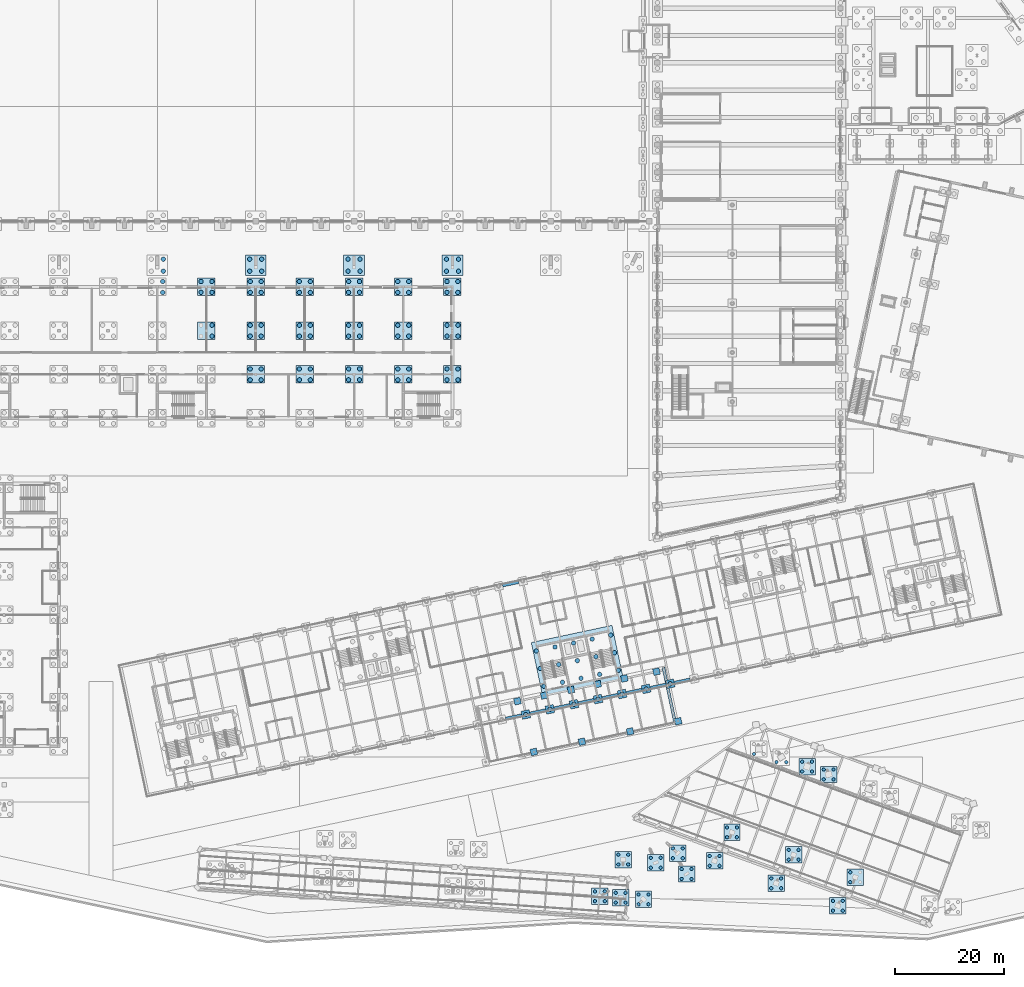
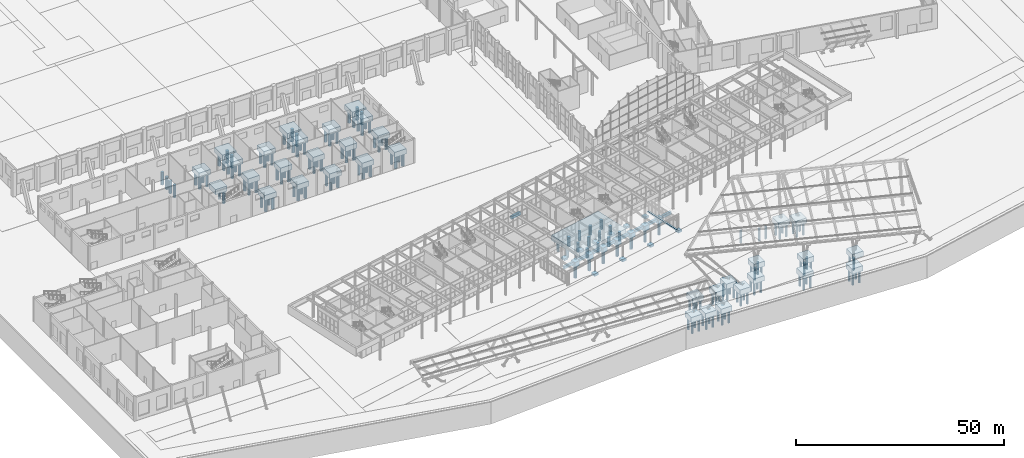
# One storey, part 3 of 239: 165 piles, 63 footings.
"""IFC4 building model written with IfcOpenShell, lengths in metres."""

import ifcopenshell
import ifcopenshell.guid

model = None  # the IFC model being written
_history = None  # IfcOwnerHistory: only IFC2X3 demands one
_inside = {}  # id of a spatial element -> (the spatial element, [elements in it])
_under = {}  # id of a project, library or spatial element -> (it, [spatial elements below it])
_declared = {}  # id of a project -> (the project, [libraries it declares])
_typed = {}  # id of a type object -> (the type object, [elements of that type])
_made_of = {}  # id of a material, layer set ... -> (it, [elements and type objects made of it])


def new_model(schema):
    """Start an empty IFC model of exactly this schema.

    Asked for "IFC4X3", IfcOpenShell would pick the latest addendum, in which some entities
    have other attributes; the version numbers below select the first issue.
    IFC2X3 requires an IfcOwnerHistory on every rooted entity: one is made here for all.
    """
    global model, _history
    if schema == "IFC4X3":
        model = ifcopenshell.file(schema_version=(4, 3, 0, 0))
    else:
        model = ifcopenshell.file(schema=schema)
    _inside.clear()
    _under.clear()
    _declared.clear()
    _typed.clear()
    _made_of.clear()
    _history = None
    if model.schema == "IFC2X3":
        org = make("IfcOrganization", Name="unknown")
        user = make(
            "IfcPersonAndOrganization",
            ThePerson=make("IfcPerson", FamilyName="unknown"),
            TheOrganization=org,
        )
        app = make(
            "IfcApplication",
            ApplicationDeveloper=org,
            Version="unknown",
            ApplicationFullName="unknown",
            ApplicationIdentifier="unknown",
        )
        _history = make(
            "IfcOwnerHistory",
            OwningUser=user,
            OwningApplication=app,
            ChangeAction="ADDED",
            CreationDate=0,
        )
    return model


def make(cls, **values):
    """One entity of the class cls with the attributes given. An attribute that is None is left unset."""
    return model.create_entity(
        cls, **{name: value for name, value in values.items() if value is not None}
    )


def rooted(cls, **values):
    """An entity with a GlobalId (a new one), such as an element, a storey or a relation."""
    return make(cls, GlobalId=ifcopenshell.guid.new(), OwnerHistory=_history, **values)


def si_unit(unit_type, name, prefix=None):
    """IfcSIUnit, for example si_unit("LENGTHUNIT", "METRE", prefix="MILLI")."""
    return make("IfcSIUnit", UnitType=unit_type, Prefix=prefix, Name=name)


def assignment(units):
    """IfcUnitAssignment: the units of a project."""
    return None if units is None else make("IfcUnitAssignment", Units=units)


def point(xyz):
    """IfcCartesianPoint."""
    return None if xyz is None else make("IfcCartesianPoint", Coordinates=xyz)


def direction(xyz):
    """IfcDirection."""
    return None if xyz is None else make("IfcDirection", DirectionRatios=xyz)


def frame(location, z_axis=None, x_axis=None):
    """IfcAxis2Placement3D, a coordinate frame: its origin and axes. An axis left out is left unset."""
    return make(
        "IfcAxis2Placement3D",
        Location=point(location),
        Axis=direction(z_axis),
        RefDirection=direction(x_axis),
    )


def frame_2d(location, x_axis=None):
    """IfcAxis2Placement2D, a coordinate frame in the plane: its origin and x axis."""
    return make(
        "IfcAxis2Placement2D", Location=point(location), RefDirection=direction(x_axis)
    )


def origin():
    """The frame at (0, 0, 0) with its axes left unset."""
    return frame((0.0, 0.0, 0.0))


def origin_2d():
    """The frame at (0, 0) in the plane with its x axis left unset."""
    return frame_2d((0.0, 0.0))


def place(relative_to, where):
    """IfcLocalPlacement: puts the frame where relative to a parent placement (None: the world)."""
    return make(
        "IfcLocalPlacement", PlacementRelTo=relative_to, RelativePlacement=where
    )


def context(
    kind, dimensions, precision=None, world=None, true_north=None, identifier=None
):
    """IfcGeometricRepresentationContext, for example the 3D "Model" context."""
    return make(
        "IfcGeometricRepresentationContext",
        ContextIdentifier=identifier,
        ContextType=kind,
        CoordinateSpaceDimension=dimensions,
        Precision=precision,
        WorldCoordinateSystem=world,
        TrueNorth=true_north,
    )


def subcontext(parent, identifier, kind, view, scale=None):
    """IfcGeometricRepresentationSubContext, for example "Body" below "Model"."""
    return make(
        "IfcGeometricRepresentationSubContext",
        ContextIdentifier=identifier,
        ContextType=kind,
        ParentContext=parent,
        TargetScale=scale,
        TargetView=view,
    )


def project(units=None, contexts=None):
    """IfcProject with its units and contexts."""
    return rooted(
        "IfcProject",
        Name="project",
        RepresentationContexts=contexts,
        UnitsInContext=assignment(units),
    )


def spatial(cls, under=None, at=None, **own):
    """A site, building, storey or space (cls), placed at a placement, below another one or the project."""
    s = rooted(cls, ObjectPlacement=at, **own)
    if under is not None:
        _under.setdefault(under.id(), (under, []))[1].append(s)
    return s


def profile(cls, at=None, kind="AREA", **sizes):
    """A parametric profile (cls). Its sizes go by their IFC names, for example OverallWidth=200.0."""
    return make(cls, ProfileType=kind, Position=at, **sizes)


def rectangle(**sizes):
    """IfcRectangleProfileDef."""
    return profile("IfcRectangleProfileDef", **sizes)


def circle(**sizes):
    """IfcCircleProfileDef."""
    return profile("IfcCircleProfileDef", **sizes)


def extrude(swept, where, along, depth):
    """IfcExtrudedAreaSolid: the profile swept, set in the frame where, extruded along a direction by depth."""
    return make(
        "IfcExtrudedAreaSolid",
        SweptArea=swept,
        Position=where,
        ExtrudedDirection=direction(along),
        Depth=depth,
    )


def shape(context_of_items, identifier, shape_type, items):
    """IfcShapeRepresentation: the items that make up one representation, for example the "Body"."""
    return make(
        "IfcShapeRepresentation",
        ContextOfItems=context_of_items,
        RepresentationIdentifier=identifier,
        RepresentationType=shape_type,
        Items=items,
    )


def material(Name=None, Category=None):
    """IfcMaterial."""
    return make("IfcMaterial", Name=Name, Category=Category)


def material_profile(
    of_material, cross_section, Name=None, Category=None, Priority=None
):
    """IfcMaterialProfile: a cross section and its material."""
    return make(
        "IfcMaterialProfile",
        Name=Name,
        Material=of_material,
        Profile=cross_section,
        Priority=Priority,
        Category=Category,
    )


def profile_set(profiles, Name=None, composite=None):
    """IfcMaterialProfileSet."""
    return make(
        "IfcMaterialProfileSet",
        Name=Name,
        MaterialProfiles=profiles,
        CompositeProfile=composite,
    )


def made_of(thing, what):
    """Note that an element or type object is made of a material, layer set ...; save() writes the relation."""
    if what is not None:
        _made_of.setdefault(what.id(), (what, []))[1].append(thing)
    return thing


def type_object(cls, material=None, **own):
    """A type object (cls), such as IfcWallType, which elements share."""
    return made_of(rooted(cls, **own), material)


def element(
    cls,
    number,
    at=None,
    inside=None,
    cuts=None,
    type_object=None,
    material=None,
    context=None,
    identifier="Body",
    shape_type=None,
    held_by="IfcProductDefinitionShape",
    body=None,
    shapes=None,
    **own,
):
    """One element of the class cls, such as IfcWall. Its Tag is "e" and its number.

    at: its placement. inside: the storey or other place that contains it. cuts: it is an
    opening in that element (IfcRelVoidsElement). A single representation is given by context,
    identifier, shape_type and body (its items); several are given by shapes. held_by: the class
    of the entity that holds the representations. save() writes the other relations.
    """
    e = rooted(cls, Tag="e%d" % number, ObjectPlacement=at, **own)
    if body is not None:
        shapes = [shape(context, identifier, shape_type, body)]
    if shapes is not None:
        e.Representation = make(held_by, Representations=shapes)
    if inside is not None:
        _inside.setdefault(inside.id(), (inside, []))[1].append(e)
    if cuts is not None:
        rooted(
            "IfcRelVoidsElement", RelatingBuildingElement=cuts, RelatedOpeningElement=e
        )
    if type_object is not None:
        _typed.setdefault(type_object.id(), (type_object, []))[1].append(e)
    return made_of(e, material)


def aggregate(whole, parts):
    """IfcRelAggregates: a whole, such as a stair, and the parts it consists of."""
    return rooted("IfcRelAggregates", RelatingObject=whole, RelatedObjects=parts)


def save(model, path):
    """Write the relations noted so far, then the file.

    IfcRelAggregates (storeys below a building ...), IfcRelContainedInSpatialStructure (elements
    in a storey), IfcRelDefinesByType, IfcRelAssociatesMaterial and IfcRelDeclares: one each for
    every whole, place, type object, material and project.
    """
    for whole, parts in _under.values():
        aggregate(whole, parts)
    for where, things in _inside.values():
        rooted(
            "IfcRelContainedInSpatialStructure",
            RelatedElements=things,
            RelatingStructure=where,
        )
    for kind, things in _typed.values():
        rooted("IfcRelDefinesByType", RelatedObjects=things, RelatingType=kind)
    for what, things in _made_of.values():
        rooted("IfcRelAssociatesMaterial", RelatedObjects=things, RelatingMaterial=what)
    for by, libraries in _declared.values():
        rooted("IfcRelDeclares", RelatingContext=by, RelatedDefinitions=libraries)
    model.write(path)


model = new_model("IFC4")

# Units and contexts
model_context = context("Model", 3, precision=1e-05, world=origin(), true_north=direction((0.0, 1.0)))
body_context = subcontext(model_context, "Body", "Model", "MODEL_VIEW")
ifc_project = project(units=[si_unit("LENGTHUNIT", "METRE"), si_unit("AREAUNIT", "SQUARE_METRE"), si_unit("VOLUMEUNIT", "CUBIC_METRE"), si_unit("PLANEANGLEUNIT", "RADIAN"), si_unit("MASSUNIT", "GRAM", prefix="KILO")], contexts=[model_context])

# Site, building, storey
site_placement = place(None, origin())
site = spatial("IfcSite", under=ifc_project, at=site_placement, CompositionType="ELEMENT")
building_placement = place(site_placement, origin())
building = spatial("IfcBuilding", under=site, at=building_placement, Name="Okhra Congress Centre", CompositionType="ELEMENT")
storey_placement = place(building_placement, origin())
storey = spatial("IfcBuildingStorey", under=building, at=storey_placement, Name="L00", CompositionType="ELEMENT", Elevation=0.0)

# Piles
ifc_material_1 = material(Name="Concrete C30/37", Category="concrete")
ifc_material_profile_1 = material_profile(ifc_material_1, circle(Radius=0.300048828125, at=origin_2d()), Name="D600")
ifc_profile_set_1 = profile_set([ifc_material_profile_1], Name="Concrete C30/37")
pile_type_1 = type_object("IfcPileType", Name="Bored pile D600 C30/37", PredefinedType="BORED", material=ifc_profile_set_1)
for number, where, z_axis, x_axis, name in (
    (1, (154.296630859375, 13.75244140625, -1.800048828125), (0.0, 0.0, -1.0), (1.0, 0.0, 0.0), "ST.PILE.L00.shard-1-1"),
    (2, (156.0966796875, 13.75244140625, -1.800048828125), (0.0, 0.0, -1.0), (1.0, 0.0, 0.0), "ST.PILE.L00.shard-1-2"),
    (3, (154.296630859375, 15.552490234375, -1.800048828125), (0.0, 0.0, -1.0), (1.0, 0.0, 0.0), "ST.PILE.L00.shard-1-3"),
    (4, (156.0966796875, 15.552490234375, -1.800048828125), (0.0, 0.0, -1.0), (1.0, 0.0, 0.0), "ST.PILE.L00.shard-1-4"),
    (5, (158.329833984375, 15.47705078125, -1.800048828125), (0.0, 0.0, -1.0), (1.0, 0.0, 0.0), "ST.PILE.L00.shard-2-1"),
    (6, (160.129638671875, 15.47705078125, -1.800048828125), (0.0, 0.0, -1.0), (1.0, 0.0, 0.0), "ST.PILE.L00.shard-2-2"),
    (7, (158.329833984375, 17.277099609375, -1.800048828125), (0.0, 0.0, -1.0), (1.0, 0.0, 0.0), "ST.PILE.L00.shard-2-3"),
    (8, (160.129638671875, 17.277099609375, -1.800048828125), (0.0, 0.0, -1.0), (1.0, 0.0, 0.0), "ST.PILE.L00.shard-2-4"),
    (9, (159.934814453125, 11.700439453125, -1.800048828125), (0.0, 0.0, -1.0), (1.0, 0.0, 0.0), "ST.PILE.L00.shard-3-1"),
    (10, (161.73486328125, 11.700439453125, -1.800048828125), (0.0, 0.0, -1.0), (1.0, 0.0, 0.0), "ST.PILE.L00.shard-3-2"),
    (11, (159.934814453125, 13.50048828125, -1.800048828125), (0.0, 0.0, -1.0), (1.0, 0.0, 0.0), "ST.PILE.L00.shard-3-3"),
    (12, (161.73486328125, 13.50048828125, -1.800048828125), (0.0, 0.0, -1.0), (1.0, 0.0, 0.0), "ST.PILE.L00.shard-3-4"),
    (13, (165.061767578125, 14.091064453125, -1.800048828125), (0.0, 0.0, -1.0), (1.0, 0.0, 0.0), "ST.PILE.L00.shard-4-1"),
    (14, (166.861572265625, 14.091064453125, -1.800048828125), (0.0, 0.0, -1.0), (1.0, 0.0, 0.0), "ST.PILE.L00.shard-4-2"),
    (15, (165.061767578125, 15.89111328125, -1.800048828125), (0.0, 0.0, -1.0), (1.0, 0.0, 0.0), "ST.PILE.L00.shard-4-3"),
    (16, (166.861572265625, 15.89111328125, -1.800048828125), (0.0, 0.0, -1.0), (1.0, 0.0, 0.0), "ST.PILE.L00.shard-4-4"),
    (17, (168.241455078125, 19.31884765625, -1.800048828125), (0.0, 0.0, -1.0), (1.0, 0.0, 0.0), "ST.PILE.L00.shard-5-1"),
    (18, (170.04150390625, 19.31884765625, -1.800048828125), (0.0, 0.0, -1.0), (1.0, 0.0, 0.0), "ST.PILE.L00.shard-5-2"),
    (19, (168.241455078125, 21.118896484375, -1.800048828125), (0.0, 0.0, -1.0), (1.0, 0.0, 0.0), "ST.PILE.L00.shard-5-3"),
    (20, (170.04150390625, 21.118896484375, -1.800048828125), (0.0, 0.0, -1.0), (1.0, 0.0, 0.0), "ST.PILE.L00.shard-5-4"),
    (21, (176.337890625, 9.98681640625, -1.800048828125), (0.0, 0.0, -1.0), (1.0, 0.0, 0.0), "ST.PILE.L00.shard-6-1"),
    (22, (178.137939453125, 9.98681640625, -1.800048828125), (0.0, 0.0, -1.0), (1.0, 0.0, 0.0), "ST.PILE.L00.shard-6-2"),
    (23, (176.337890625, 11.786865234375, -1.800048828125), (0.0, 0.0, -1.0), (1.0, 0.0, 0.0), "ST.PILE.L00.shard-6-3"),
    (24, (178.137939453125, 11.786865234375, -1.800048828125), (0.0, 0.0, -1.0), (1.0, 0.0, 0.0), "ST.PILE.L00.shard-6-4"),
    (25, (179.517822265625, 15.214599609375, -1.800048828125), (0.0, 0.0, -1.0), (1.0, 0.0, 0.0), "ST.PILE.L00.shard-7-1"),
    (26, (181.317626953125, 15.214599609375, -1.800048828125), (0.0, 0.0, -1.0), (1.0, 0.0, 0.0), "ST.PILE.L00.shard-7-2"),
    (27, (179.517822265625, 17.0146484375, -1.800048828125), (0.0, 0.0, -1.0), (1.0, 0.0, 0.0), "ST.PILE.L00.shard-7-3"),
    (28, (181.317626953125, 17.0146484375, -1.800048828125), (0.0, 0.0, -1.0), (1.0, 0.0, 0.0), "ST.PILE.L00.shard-7-4"),
    (29, (187.6142578125, 5.882568359375, -1.800048828125), (0.0, 0.0, -1.0), (1.0, 0.0, 0.0), "ST.PILE.L00.shard-8-1"),
    (30, (189.414306640625, 5.882568359375, -1.800048828125), (0.0, 0.0, -1.0), (1.0, 0.0, 0.0), "ST.PILE.L00.shard-8-2"),
    (31, (187.6142578125, 7.6826171875, -1.800048828125), (0.0, 0.0, -1.0), (1.0, 0.0, 0.0), "ST.PILE.L00.shard-8-3"),
    (32, (189.414306640625, 7.6826171875, -1.800048828125), (0.0, 0.0, -1.0), (1.0, 0.0, 0.0), "ST.PILE.L00.shard-8-4"),
    (33, (190.7939453125, 11.1103515625, -1.800048828125), (0.0, 0.0, -1.0), (1.0, 0.0, 0.0), "ST.PILE.L00.shard-9-1"),
    (34, (190.7939453125, 12.910400390625, -1.800048828125), (0.0, 0.0, -1.0), (1.0, 0.0, 0.0), "ST.PILE.L00.shard-9-3"),
    (35, (173.14990234375, 34.55908203125, -1.800048828125), (0.0, 0.0, -1.0), (1.0, 0.0, 0.0), "ST.PILE.L00.shard-12-1"),
    (36, (177.28466796875, 33.05419921875, -1.800048828125), (0.0, 0.0, -1.0), (1.0, 0.0, 0.0), "ST.PILE.L00.shard-13-1"),
    (37, (179.08447265625, 33.05419921875, -1.800048828125), (0.0, 0.0, -1.0), (1.0, 0.0, 0.0), "ST.PILE.L00.shard-13-2"),
    (38, (181.983154296875, 31.34423828125, -1.800048828125), (0.0, 0.0, -1.0), (1.0, 0.0, 0.0), "ST.PILE.L00.shard-14-1"),
    (39, (183.782958984375, 31.34423828125, -1.800048828125), (0.0, 0.0, -1.0), (1.0, 0.0, 0.0), "ST.PILE.L00.shard-14-2"),
    (40, (181.983154296875, 33.14404296875, -1.800048828125), (0.0, 0.0, -1.0), (1.0, 0.0, 0.0), "ST.PILE.L00.shard-14-3"),
    (41, (183.782958984375, 33.14404296875, -1.800048828125), (0.0, 0.0, -1.0), (1.0, 0.0, 0.0), "ST.PILE.L00.shard-14-4"),
    (42, (185.9296875, 29.90771484375, -1.800048828125), (0.0, 0.0, -1.0), (1.0, 0.0, 0.0), "ST.PILE.L00.shard-15-1"),
    (43, (187.729736328125, 29.90771484375, -1.800048828125), (0.0, 0.0, -1.0), (1.0, 0.0, 0.0), "ST.PILE.L00.shard-15-2"),
    (44, (185.9296875, 31.70751953125, -1.800048828125), (0.0, 0.0, -1.0), (1.0, 0.0, 0.0), "ST.PILE.L00.shard-15-3"),
    (45, (187.729736328125, 31.70751953125, -1.800048828125), (0.0, 0.0, -1.0), (1.0, 0.0, 0.0), "ST.PILE.L00.shard-15-4"),
    (46, (147.869873046875, 7.35107421875, -1.800048828125), (0.0, 0.0, -1.0), (1.0, 0.0, 0.0), "ST.PILE.L00.arcade-11-1"),
    (47, (149.669921875, 7.35107421875, -1.800048828125), (0.0, 0.0, -1.0), (1.0, 0.0, 0.0), "ST.PILE.L00.arcade-11-2"),
    (48, (147.869873046875, 9.151123046875, -1.800048828125), (0.0, 0.0, -1.0), (1.0, 0.0, 0.0), "ST.PILE.L00.arcade-11-3"),
    (49, (149.669921875, 9.151123046875, -1.800048828125), (0.0, 0.0, -1.0), (1.0, 0.0, 0.0), "ST.PILE.L00.arcade-11-4"),
    (50, (152.0595703125, 7.05810546875, -1.800048828125), (0.0, 0.0, -1.0), (1.0, 0.0, 0.0), "ST.PILE.L00.arcade-12-1"),
    (51, (153.859619140625, 7.05810546875, -1.800048828125), (0.0, 0.0, -1.0), (1.0, 0.0, 0.0), "ST.PILE.L00.arcade-12-2"),
    (52, (152.0595703125, 8.858154296875, -1.800048828125), (0.0, 0.0, -1.0), (1.0, 0.0, 0.0), "ST.PILE.L00.arcade-12-3"),
    (53, (153.859619140625, 8.858154296875, -1.800048828125), (0.0, 0.0, -1.0), (1.0, 0.0, 0.0), "ST.PILE.L00.arcade-12-4"),
    (54, (148.358154296875, 14.333984375, -1.800048828125), (0.0, 0.0, -1.0), (1.0, 0.0, 0.0), "ST.PILE.L00.arcade-13-1"),
    (55, (150.158203125, 14.333984375, -1.800048828125), (0.0, 0.0, -1.0), (1.0, 0.0, 0.0), "ST.PILE.L00.arcade-13-2"),
    (56, (148.358154296875, 16.134033203125, -1.800048828125), (0.0, 0.0, -1.0), (1.0, 0.0, 0.0), "ST.PILE.L00.arcade-13-3"),
    (57, (150.158203125, 16.134033203125, -1.800048828125), (0.0, 0.0, -1.0), (1.0, 0.0, 0.0), "ST.PILE.L00.arcade-13-4"),
    (58, (144.0791015625, 7.6162109375, -1.800048828125), (0.0, 0.0, -1.0), (1.0, 0.0, 0.0), "ST.PILE.L00.arcade-14-1"),
    (59, (145.879150390625, 7.6162109375, -1.800048828125), (0.0, 0.0, -1.0), (1.0, 0.0, 0.0), "ST.PILE.L00.arcade-14-2"),
    (60, (144.0791015625, 9.416015625, -1.800048828125), (0.0, 0.0, -1.0), (1.0, 0.0, 0.0), "ST.PILE.L00.arcade-14-3"),
    (61, (145.879150390625, 9.416015625, -1.800048828125), (0.0, 0.0, -1.0), (1.0, 0.0, 0.0), "ST.PILE.L00.arcade-14-4"),
):
    element("IfcPile", number, at=place(storey_placement, frame(where, z_axis=z_axis, x_axis=x_axis)), inside=storey, type_object=pile_type_1, Name=name, PredefinedType="BORED", context=body_context, shape_type="SweptSolid", body=[
        extrude(circle(Radius=0.300048828125, at=origin_2d()), origin(), (0.0, 0.0, 1.0), 3.699951171875),
    ])
ifc_material_profile_2 = material_profile(ifc_material_1, circle(Radius=0.39990234375, at=origin_2d()), Name="D800")
ifc_profile_set_2 = profile_set([ifc_material_profile_2], Name="Concrete C30/37")
pile_type_2 = type_object("IfcPileType", Name="Bored pile D800", PredefinedType="BORED", material=ifc_profile_set_2)
for number, where, z_axis, x_axis, name in (
    (62, (65.10009765625, 122.883544921875, -1.800048828125), (0.0, 0.0, -1.0), (1.0, 0.0, 0.0), "EH.PILE.L00.BP3.2"),
    (63, (65.10009765625, 125.08349609375, -1.800048828125), (0.0, 0.0, -1.0), (1.0, 0.0, 0.0), "EH.PILE.L00.BP3.4"),
    (64, (80.89990234375, 122.883544921875, -1.800048828125), (0.0, 0.0, -1.0), (1.0, 0.0, 0.0), "EH.PILE.L00.BP4.1"),
    (65, (83.10009765625, 122.883544921875, -1.800048828125), (0.0, 0.0, -1.0), (1.0, 0.0, 0.0), "EH.PILE.L00.BP4.2"),
    (66, (80.89990234375, 125.08349609375, -1.800048828125), (0.0, 0.0, -1.0), (1.0, 0.0, 0.0), "EH.PILE.L00.BP4.3"),
    (67, (83.10009765625, 125.08349609375, -1.800048828125), (0.0, 0.0, -1.0), (1.0, 0.0, 0.0), "EH.PILE.L00.BP4.4"),
    (68, (98.89990234375, 122.883544921875, -1.800048828125), (0.0, 0.0, -1.0), (1.0, 0.0, 0.0), "EH.PILE.L00.BP5.1"),
    (69, (101.10009765625, 122.883544921875, -1.800048828125), (0.0, 0.0, -1.0), (1.0, 0.0, 0.0), "EH.PILE.L00.BP5.2"),
    (70, (98.89990234375, 125.08349609375, -1.800048828125), (0.0, 0.0, -1.0), (1.0, 0.0, 0.0), "EH.PILE.L00.BP5.3"),
    (71, (101.10009765625, 125.08349609375, -1.800048828125), (0.0, 0.0, -1.0), (1.0, 0.0, 0.0), "EH.PILE.L00.BP5.4"),
    (72, (116.89990234375, 122.883544921875, -1.800048828125), (0.0, 0.0, -1.0), (1.0, 0.0, 0.0), "EH.PILE.L00.BP6.1"),
    (73, (119.10009765625, 122.883544921875, -1.800048828125), (0.0, 0.0, -1.0), (1.0, 0.0, 0.0), "EH.PILE.L00.BP6.2"),
    (74, (116.89990234375, 125.08349609375, -1.800048828125), (0.0, 0.0, -1.0), (1.0, 0.0, 0.0), "EH.PILE.L00.BP6.3"),
    (75, (119.10009765625, 125.08349609375, -1.800048828125), (0.0, 0.0, -1.0), (1.0, 0.0, 0.0), "EH.PILE.L00.BP6.4"),
    (76, (131.4375, 41.77880859375, -1.800048828125), (0.0, 0.0, -1.0), (1.0, 0.0, 0.0), "Pile 13S"),
    (77, (135.83935546875, 42.714599609375, -1.800048828125), (0.0, 0.0, -1.0), (1.0, 0.0, 0.0), "Pile 14S"),
    (78, (140.240966796875, 43.650146484375, -1.800048828125), (0.0, 0.0, -1.0), (1.0, 0.0, 0.0), "Pile 15S"),
    (79, (144.642578125, 44.585693359375, -1.800048828125), (0.0, 0.0, -1.0), (1.0, 0.0, 0.0), "Pile 16S"),
    (80, (149.044189453125, 45.521240234375, -1.800048828125), (0.0, 0.0, -1.0), (1.0, 0.0, 0.0), "Pile 17S"),
    (81, (153.446044921875, 46.456787109375, -1.800048828125), (0.0, 0.0, -1.0), (1.0, 0.0, 0.0), "Pile 18S"),
    (82, (157.84765625, 47.392578125, -1.800048828125), (0.0, 0.0, -1.0), (1.0, 0.0, 0.0), "Pile 19S"),
):
    element("IfcPile", number, at=place(storey_placement, frame(where, z_axis=z_axis, x_axis=x_axis)), inside=storey, type_object=pile_type_2, Name=name, PredefinedType="BORED", context=body_context, shape_type="SweptSolid", body=[
        extrude(circle(Radius=0.39990234375, at=origin_2d()), origin(), (0.0, 0.0, 1.0), 3.699951171875),
    ])
for number, where, z_axis, x_axis, name in (
    (83, (134.734130859375, 46.952392578125, -2.800048828125), (0.0, 0.0, -1.0), (1.0, 0.0, 0.0), "Core pile 3.1"),
    (84, (134.0478515625, 50.18017578125, -2.800048828125), (0.0, 0.0, -1.0), (1.0, 0.0, 0.0), "Core pile 3.2"),
    (85, (133.36181640625, 53.407958984375, -2.800048828125), (0.0, 0.0, -1.0), (1.0, 0.0, 0.0), "Core pile 3.3"),
    (86, (138.133056640625, 47.6748046875, -2.800048828125), (0.0, 0.0, -1.0), (1.0, 0.0, 0.0), "Core pile 3.4"),
    (87, (137.447021484375, 50.902587890625, -2.800048828125), (0.0, 0.0, -1.0), (1.0, 0.0, 0.0), "Core pile 3.5"),
    (88, (136.760986328125, 54.130615234375, -2.800048828125), (0.0, 0.0, -1.0), (1.0, 0.0, 0.0), "Core pile 3.6"),
    (89, (141.5322265625, 48.397216796875, -2.800048828125), (0.0, 0.0, -1.0), (1.0, 0.0, 0.0), "Core pile 3.7"),
    (90, (140.845947265625, 51.625244140625, -2.800048828125), (0.0, 0.0, -1.0), (1.0, 0.0, 0.0), "Core pile 3.8"),
    (91, (140.159912109375, 54.85302734375, -2.800048828125), (0.0, 0.0, -1.0), (1.0, 0.0, 0.0), "Core pile 3.9"),
    (92, (144.93115234375, 49.119873046875, -2.800048828125), (0.0, 0.0, -1.0), (1.0, 0.0, 0.0), "Core pile 3.10"),
    (93, (144.2451171875, 52.34765625, -2.800048828125), (0.0, 0.0, -1.0), (1.0, 0.0, 0.0), "Core pile 3.11"),
    (94, (143.55908203125, 55.575439453125, -2.800048828125), (0.0, 0.0, -1.0), (1.0, 0.0, 0.0), "Core pile 3.12"),
    (95, (148.330322265625, 49.84228515625, -2.800048828125), (0.0, 0.0, -1.0), (1.0, 0.0, 0.0), "Core pile 3.13"),
    (96, (147.644287109375, 53.070068359375, -2.800048828125), (0.0, 0.0, -1.0), (1.0, 0.0, 0.0), "Core pile 3.14"),
    (97, (146.9580078125, 56.298095703125, -2.800048828125), (0.0, 0.0, -1.0), (1.0, 0.0, 0.0), "Core pile 3.15"),
):
    element("IfcPile", number, at=place(storey_placement, frame(where, z_axis=z_axis, x_axis=x_axis)), inside=storey, type_object=pile_type_2, Name=name, PredefinedType="BORED", context=body_context, shape_type="SweptSolid", body=[
        extrude(circle(Radius=0.39990234375, at=origin_2d()), origin(), (0.0, 0.0, 1.0), 2.699951171875),
    ])
ifc_material_profile_3 = material_profile(ifc_material_1, circle(Radius=0.39990234375, at=origin_2d()), Name="D800")
ifc_profile_set_3 = profile_set([ifc_material_profile_3], Name="Concrete C30/37")
pile_type_3 = type_object("IfcPileType", Name="Bored pile D800 C30/37", PredefinedType="BORED", material=ifc_profile_set_3)
for number, where, z_axis, x_axis, name in (
    (98, (65.0, 119.0, -1.800048828125), (0.0, 0.0, -1.0), (1.0, 0.0, 0.0), "SV.PILE.L00.20.2"),
    (99, (65.0, 121.0, -1.800048828125), (0.0, 0.0, -1.0), (1.0, 0.0, 0.0), "SV.PILE.L00.20.4"),
    (100, (74.0, 111.0, -1.800048828125), (0.0, 0.0, -1.0), (1.0, 0.0, 0.0), "SV.PILE.L00.23.2"),
    (101, (74.0, 113.0, -1.800048828125), (0.0, 0.0, -1.0), (1.0, 0.0, 0.0), "SV.PILE.L00.23.4"),
    (102, (72.0, 119.0, -1.800048828125), (0.0, 0.0, -1.0), (1.0, 0.0, 0.0), "SV.PILE.L00.24.1"),
    (103, (74.0, 119.0, -1.800048828125), (0.0, 0.0, -1.0), (1.0, 0.0, 0.0), "SV.PILE.L00.24.2"),
    (104, (72.0, 121.0, -1.800048828125), (0.0, 0.0, -1.0), (1.0, 0.0, 0.0), "SV.PILE.L00.24.3"),
    (105, (74.0, 121.0, -1.800048828125), (0.0, 0.0, -1.0), (1.0, 0.0, 0.0), "SV.PILE.L00.24.4"),
    (106, (81.0, 103.0, -1.800048828125), (0.0, 0.0, -1.0), (1.0, 0.0, 0.0), "SV.PILE.L00.26.1"),
    (107, (83.0, 103.0, -1.800048828125), (0.0, 0.0, -1.0), (1.0, 0.0, 0.0), "SV.PILE.L00.26.2"),
    (108, (81.0, 105.0, -1.800048828125), (0.0, 0.0, -1.0), (1.0, 0.0, 0.0), "SV.PILE.L00.26.3"),
    (109, (83.0, 105.0, -1.800048828125), (0.0, 0.0, -1.0), (1.0, 0.0, 0.0), "SV.PILE.L00.26.4"),
    (110, (81.0, 111.0, -1.800048828125), (0.0, 0.0, -1.0), (1.0, 0.0, 0.0), "SV.PILE.L00.27.1"),
    (111, (83.0, 111.0, -1.800048828125), (0.0, 0.0, -1.0), (1.0, 0.0, 0.0), "SV.PILE.L00.27.2"),
    (112, (81.0, 113.0, -1.800048828125), (0.0, 0.0, -1.0), (1.0, 0.0, 0.0), "SV.PILE.L00.27.3"),
    (113, (83.0, 113.0, -1.800048828125), (0.0, 0.0, -1.0), (1.0, 0.0, 0.0), "SV.PILE.L00.27.4"),
    (114, (81.0, 119.0, -1.800048828125), (0.0, 0.0, -1.0), (1.0, 0.0, 0.0), "SV.PILE.L00.28.1"),
    (115, (83.0, 119.0, -1.800048828125), (0.0, 0.0, -1.0), (1.0, 0.0, 0.0), "SV.PILE.L00.28.2"),
    (116, (81.0, 121.0, -1.800048828125), (0.0, 0.0, -1.0), (1.0, 0.0, 0.0), "SV.PILE.L00.28.3"),
    (117, (83.0, 121.0, -1.800048828125), (0.0, 0.0, -1.0), (1.0, 0.0, 0.0), "SV.PILE.L00.28.4"),
    (118, (90.0, 103.0, -1.800048828125), (0.0, 0.0, -1.0), (1.0, 0.0, 0.0), "SV.PILE.L00.30.1"),
    (119, (92.0, 103.0, -1.800048828125), (0.0, 0.0, -1.0), (1.0, 0.0, 0.0), "SV.PILE.L00.30.2"),
    (120, (90.0, 105.0, -1.800048828125), (0.0, 0.0, -1.0), (1.0, 0.0, 0.0), "SV.PILE.L00.30.3"),
    (121, (92.0, 105.0, -1.800048828125), (0.0, 0.0, -1.0), (1.0, 0.0, 0.0), "SV.PILE.L00.30.4"),
    (122, (90.0, 111.0, -1.800048828125), (0.0, 0.0, -1.0), (1.0, 0.0, 0.0), "SV.PILE.L00.31.1"),
    (123, (92.0, 111.0, -1.800048828125), (0.0, 0.0, -1.0), (1.0, 0.0, 0.0), "SV.PILE.L00.31.2"),
    (124, (90.0, 113.0, -1.800048828125), (0.0, 0.0, -1.0), (1.0, 0.0, 0.0), "SV.PILE.L00.31.3"),
    (125, (92.0, 113.0, -1.800048828125), (0.0, 0.0, -1.0), (1.0, 0.0, 0.0), "SV.PILE.L00.31.4"),
    (126, (90.0, 119.0, -1.800048828125), (0.0, 0.0, -1.0), (1.0, 0.0, 0.0), "SV.PILE.L00.32.1"),
    (127, (92.0, 119.0, -1.800048828125), (0.0, 0.0, -1.0), (1.0, 0.0, 0.0), "SV.PILE.L00.32.2"),
    (128, (90.0, 121.0, -1.800048828125), (0.0, 0.0, -1.0), (1.0, 0.0, 0.0), "SV.PILE.L00.32.3"),
    (129, (92.0, 121.0, -1.800048828125), (0.0, 0.0, -1.0), (1.0, 0.0, 0.0), "SV.PILE.L00.32.4"),
    (130, (99.0, 103.0, -1.800048828125), (0.0, 0.0, -1.0), (1.0, 0.0, 0.0), "SV.PILE.L00.34.1"),
    (131, (101.0, 103.0, -1.800048828125), (0.0, 0.0, -1.0), (1.0, 0.0, 0.0), "SV.PILE.L00.34.2"),
    (132, (99.0, 105.0, -1.800048828125), (0.0, 0.0, -1.0), (1.0, 0.0, 0.0), "SV.PILE.L00.34.3"),
    (133, (101.0, 105.0, -1.800048828125), (0.0, 0.0, -1.0), (1.0, 0.0, 0.0), "SV.PILE.L00.34.4"),
    (134, (99.0, 111.0, -1.800048828125), (0.0, 0.0, -1.0), (1.0, 0.0, 0.0), "SV.PILE.L00.35.1"),
    (135, (101.0, 111.0, -1.800048828125), (0.0, 0.0, -1.0), (1.0, 0.0, 0.0), "SV.PILE.L00.35.2"),
    (136, (99.0, 113.0, -1.800048828125), (0.0, 0.0, -1.0), (1.0, 0.0, 0.0), "SV.PILE.L00.35.3"),
    (137, (101.0, 113.0, -1.800048828125), (0.0, 0.0, -1.0), (1.0, 0.0, 0.0), "SV.PILE.L00.35.4"),
    (138, (99.0, 119.0, -1.800048828125), (0.0, 0.0, -1.0), (1.0, 0.0, 0.0), "SV.PILE.L00.36.1"),
    (139, (101.0, 119.0, -1.800048828125), (0.0, 0.0, -1.0), (1.0, 0.0, 0.0), "SV.PILE.L00.36.2"),
    (140, (99.0, 121.0, -1.800048828125), (0.0, 0.0, -1.0), (1.0, 0.0, 0.0), "SV.PILE.L00.36.3"),
    (141, (101.0, 121.0, -1.800048828125), (0.0, 0.0, -1.0), (1.0, 0.0, 0.0), "SV.PILE.L00.36.4"),
    (142, (108.0, 103.0, -1.800048828125), (0.0, 0.0, -1.0), (1.0, 0.0, 0.0), "SV.PILE.L00.38.1"),
    (143, (110.0, 103.0, -1.800048828125), (0.0, 0.0, -1.0), (1.0, 0.0, 0.0), "SV.PILE.L00.38.2"),
    (144, (108.0, 105.0, -1.800048828125), (0.0, 0.0, -1.0), (1.0, 0.0, 0.0), "SV.PILE.L00.38.3"),
    (145, (110.0, 105.0, -1.800048828125), (0.0, 0.0, -1.0), (1.0, 0.0, 0.0), "SV.PILE.L00.38.4"),
    (146, (108.0, 111.0, -1.800048828125), (0.0, 0.0, -1.0), (1.0, 0.0, 0.0), "SV.PILE.L00.39.1"),
    (147, (110.0, 111.0, -1.800048828125), (0.0, 0.0, -1.0), (1.0, 0.0, 0.0), "SV.PILE.L00.39.2"),
    (148, (108.0, 113.0, -1.800048828125), (0.0, 0.0, -1.0), (1.0, 0.0, 0.0), "SV.PILE.L00.39.3"),
    (149, (110.0, 113.0, -1.800048828125), (0.0, 0.0, -1.0), (1.0, 0.0, 0.0), "SV.PILE.L00.39.4"),
    (150, (108.0, 119.0, -1.800048828125), (0.0, 0.0, -1.0), (1.0, 0.0, 0.0), "SV.PILE.L00.40.1"),
    (151, (110.0, 119.0, -1.800048828125), (0.0, 0.0, -1.0), (1.0, 0.0, 0.0), "SV.PILE.L00.40.2"),
    (152, (108.0, 121.0, -1.800048828125), (0.0, 0.0, -1.0), (1.0, 0.0, 0.0), "SV.PILE.L00.40.3"),
    (153, (110.0, 121.0, -1.800048828125), (0.0, 0.0, -1.0), (1.0, 0.0, 0.0), "SV.PILE.L00.40.4"),
    (154, (117.0, 103.0, -1.800048828125), (0.0, 0.0, -1.0), (1.0, 0.0, 0.0), "SV.PILE.L00.42.1"),
    (155, (119.0, 103.0, -1.800048828125), (0.0, 0.0, -1.0), (1.0, 0.0, 0.0), "SV.PILE.L00.42.2"),
    (156, (117.0, 105.0, -1.800048828125), (0.0, 0.0, -1.0), (1.0, 0.0, 0.0), "SV.PILE.L00.42.3"),
    (157, (119.0, 105.0, -1.800048828125), (0.0, 0.0, -1.0), (1.0, 0.0, 0.0), "SV.PILE.L00.42.4"),
    (158, (117.0, 111.0, -1.800048828125), (0.0, 0.0, -1.0), (1.0, 0.0, 0.0), "SV.PILE.L00.43.1"),
    (159, (119.0, 111.0, -1.800048828125), (0.0, 0.0, -1.0), (1.0, 0.0, 0.0), "SV.PILE.L00.43.2"),
    (160, (117.0, 113.0, -1.800048828125), (0.0, 0.0, -1.0), (1.0, 0.0, 0.0), "SV.PILE.L00.43.3"),
    (161, (119.0, 113.0, -1.800048828125), (0.0, 0.0, -1.0), (1.0, 0.0, 0.0), "SV.PILE.L00.43.4"),
    (162, (117.0, 119.0, -1.800048828125), (0.0, 0.0, -1.0), (1.0, 0.0, 0.0), "SV.PILE.L00.44.1"),
    (163, (119.0, 119.0, -1.800048828125), (0.0, 0.0, -1.0), (1.0, 0.0, 0.0), "SV.PILE.L00.44.2"),
    (164, (117.0, 121.0, -1.800048828125), (0.0, 0.0, -1.0), (1.0, 0.0, 0.0), "SV.PILE.L00.44.3"),
    (165, (119.0, 121.0, -1.800048828125), (0.0, 0.0, -1.0), (1.0, 0.0, 0.0), "SV.PILE.L00.44.4"),
):
    element("IfcPile", number, at=place(storey_placement, frame(where, z_axis=z_axis, x_axis=x_axis)), inside=storey, type_object=pile_type_3, Name=name, PredefinedType="BORED", context=body_context, shape_type="SweptSolid", body=[
        extrude(circle(Radius=0.39990234375, at=origin_2d()), origin(), (0.0, 0.0, 1.0), 3.699951171875),
    ])

# Footings
ifc_material_2 = material(Name="Concrete C35/45", Category="concrete")
footing_type_1 = type_object("IfcFootingType", Name="Core raft cap 15100x10000x1500", PredefinedType="PILE_CAP", material=ifc_material_2)
footing_1_placement = place(storey_placement, frame((140.845947265625, 51.625244140625, -2.89990234375), z_axis=(0.0, 0.0, 1.0), x_axis=(0.978147600734, 0.207911690818, 0.0)))
element("IfcFooting", 166, at=footing_1_placement, inside=storey, type_object=footing_type_1, Name="Core raft cap 3", PredefinedType="PILE_CAP", context=body_context, shape_type="SweptSolid", body=[
    extrude(rectangle(XDim=15.10009765625, YDim=10.0, at=origin_2d()), origin(), (0.0, 0.0, 1.0), 1.5),
])
footing_type_2 = type_object("IfcFootingType", Name="Ground beam 600x800", PredefinedType="FOOTING_BEAM", material=ifc_material_2)
for number, where, z_axis, x_axis, name in (
    (167, (129.23681640625, 41.31103515625, -1.2001953125), (0.0, 0.0, 1.0), (0.978147600734, 0.207911690818, 0.0), "Ground beam S12"),
    (168, (133.638427734375, 42.24658203125, -1.2001953125), (0.0, 0.0, 1.0), (0.978147600734, 0.207911690818, 0.0), "Ground beam S13"),
    (169, (138.0400390625, 43.182373046875, -1.2001953125), (0.0, 0.0, 1.0), (0.978147600734, 0.207911690818, 0.0), "Ground beam S14"),
    (170, (142.44189453125, 44.117919921875, -1.2001953125), (0.0, 0.0, 1.0), (0.978147600734, 0.207911690818, 0.0), "Ground beam S15"),
    (171, (146.843505859375, 45.053466796875, -1.2001953125), (0.0, 0.0, 1.0), (0.978147600734, 0.207911690818, 0.0), "Ground beam S16"),
    (172, (151.2451171875, 45.989013671875, -1.2001953125), (0.0, 0.0, 1.0), (0.978147600734, 0.207911690818, 0.0), "Ground beam S17"),
    (173, (155.646728515625, 46.9248046875, -1.2001953125), (0.0, 0.0, 1.0), (0.978147600734, 0.207911690818, 0.0), "Ground beam S18"),
    (174, (160.04833984375, 47.8603515625, -1.2001953125), (0.0, 0.0, 1.0), (0.978147600734, 0.207911690818, 0.0), "Ground beam S19"),
    (175, (128.648681640625, 65.72216796875, -1.2001953125), (0.0, 0.0, 1.0), (0.978147600734, 0.207911690818, 0.0), "Ground beam N13"),
):
    element("IfcFooting", number, at=place(storey_placement, frame(where, z_axis=z_axis, x_axis=x_axis)), inside=storey, type_object=footing_type_2, Name=name, PredefinedType="FOOTING_BEAM", context=body_context, shape_type="SweptSolid", body=[
        extrude(rectangle(XDim=3.0, YDim=0.60009765625, at=origin_2d()), origin(), (0.0, 0.0, 1.0), 0.800048828125),
    ])
footing_type_3 = type_object("IfcFootingType", Name="Pad footing 1200x1200x600", PredefinedType="PAD_FOOTING", material=ifc_material_2)
for number, where, z_axis, x_axis, name in (
    (176, (132.89306640625, 34.931884765625, -1.0), (0.0, 0.0, 1.0), (0.978147600734, 0.207911690818, 0.0), "Porch pad S2"),
    (177, (141.6962890625, 36.802978515625, -1.0), (0.0, 0.0, 1.0), (0.978147600734, 0.207911690818, 0.0), "Porch pad S3"),
    (178, (150.499755859375, 38.67431640625, -1.0), (0.0, 0.0, 1.0), (0.978147600734, 0.207911690818, 0.0), "Porch pad S4"),
    (179, (159.302978515625, 40.54541015625, -1.0), (0.0, 0.0, 1.0), (0.978147600734, 0.207911690818, 0.0), "Porch pad S5"),
    (180, (129.898193359375, 44.2119140625, -1.0), (0.0, 0.0, 1.0), (0.978147600734, 0.207911690818, 0.0), "Porch pad N2"),
    (181, (134.788818359375, 45.25146484375, -1.0), (0.0, 0.0, 1.0), (0.978147600734, 0.207911690818, 0.0), "Porch pad N3"),
    (182, (139.6796875, 46.291015625, -1.0), (0.0, 0.0, 1.0), (0.978147600734, 0.207911690818, 0.0), "Porch pad N4"),
    (183, (144.5703125, 47.33056640625, -1.0), (0.0, 0.0, 1.0), (0.978147600734, 0.207911690818, 0.0), "Porch pad N5"),
    (184, (149.461181640625, 48.3701171875, -1.0), (0.0, 0.0, 1.0), (0.978147600734, 0.207911690818, 0.0), "Porch pad N6"),
    (185, (155.329833984375, 49.61767578125, -1.0), (0.0, 0.0, 1.0), (0.978147600734, 0.207911690818, 0.0), "Porch pad N7"),
):
    element("IfcFooting", number, at=place(storey_placement, frame(where, z_axis=z_axis, x_axis=x_axis)), inside=storey, type_object=footing_type_3, Name=name, PredefinedType="PAD_FOOTING", context=body_context, shape_type="SweptSolid", body=[
        extrude(rectangle(XDim=1.199951171875, YDim=1.199951171875, at=origin_2d()), origin(), (0.0, 0.0, 1.0), 0.60009765625),
    ])
footing_type_4 = type_object("IfcFootingType", Name="Pile cap 1500x1500x1500", PredefinedType="PILE_CAP", material=ifc_material_2)
for number, where, z_axis, x_axis, name in (
    (186, (131.4375, 41.77880859375, -1.89990234375), (0.0, 0.0, 1.0), (0.978147600734, 0.207911690818, 0.0), "Pile cap 13S"),
    (187, (135.83935546875, 42.714599609375, -1.89990234375), (0.0, 0.0, 1.0), (0.978147600734, 0.207911690818, 0.0), "Pile cap 14S"),
    (188, (140.240966796875, 43.650146484375, -1.89990234375), (0.0, 0.0, 1.0), (0.978147600734, 0.207911690818, 0.0), "Pile cap 15S"),
    (189, (144.642578125, 44.585693359375, -1.89990234375), (0.0, 0.0, 1.0), (0.978147600734, 0.207911690818, 0.0), "Pile cap 16S"),
    (190, (149.044189453125, 45.521240234375, -1.89990234375), (0.0, 0.0, 1.0), (0.978147600734, 0.207911690818, 0.0), "Pile cap 17S"),
    (191, (153.446044921875, 46.456787109375, -1.89990234375), (0.0, 0.0, 1.0), (0.978147600734, 0.207911690818, 0.0), "Pile cap 18S"),
    (192, (157.84765625, 47.392578125, -1.89990234375), (0.0, 0.0, 1.0), (0.978147600734, 0.207911690818, 0.0), "Pile cap 19S"),
):
    element("IfcFooting", number, at=place(storey_placement, frame(where, z_axis=z_axis, x_axis=x_axis)), inside=storey, type_object=footing_type_4, Name=name, PredefinedType="PILE_CAP", context=body_context, shape_type="SweptSolid", body=[
        extrude(rectangle(XDim=1.5, YDim=1.5, at=origin_2d()), origin(), (0.0, 0.0, 1.0), 1.5),
    ])
footing_type_5 = type_object("IfcFootingType", Name="Pile cap 3000x3000x1500 C35/45", PredefinedType="PILE_CAP", material=ifc_material_2)
for number, where, z_axis, x_axis, name in (
    (193, (155.19677734375, 14.652587890625, -1.89990234375), (0.0, 0.0, 1.0), (1.0, 0.0, 0.0), "ST.FTG.L00.shard-cap-1"),
    (194, (159.229736328125, 16.377197265625, -1.89990234375), (0.0, 0.0, 1.0), (1.0, 0.0, 0.0), "ST.FTG.L00.shard-cap-2"),
    (195, (160.834716796875, 12.600341796875, -1.89990234375), (0.0, 0.0, 1.0), (1.0, 0.0, 0.0), "ST.FTG.L00.shard-cap-3"),
    (196, (165.961669921875, 14.990966796875, -1.89990234375), (0.0, 0.0, 1.0), (1.0, 0.0, 0.0), "ST.FTG.L00.shard-cap-4"),
    (197, (169.141357421875, 20.21875, -1.89990234375), (0.0, 0.0, 1.0), (1.0, 0.0, 0.0), "ST.FTG.L00.shard-cap-5"),
    (198, (177.238037109375, 10.886962890625, -1.89990234375), (0.0, 0.0, 1.0), (1.0, 0.0, 0.0), "ST.FTG.L00.shard-cap-6"),
    (199, (180.417724609375, 16.114501953125, -1.89990234375), (0.0, 0.0, 1.0), (1.0, 0.0, 0.0), "ST.FTG.L00.shard-cap-7"),
    (200, (188.514404296875, 6.78271484375, -1.89990234375), (0.0, 0.0, 1.0), (1.0, 0.0, 0.0), "ST.FTG.L00.shard-cap-8"),
    (201, (191.694091796875, 12.01025390625, -1.89990234375), (0.0, 0.0, 1.0), (1.0, 0.0, 0.0), "ST.FTG.L00.shard-cap-9"),
    (202, (182.883056640625, 32.244140625, -1.89990234375), (0.0, 0.0, 1.0), (1.0, 0.0, 0.0), "ST.FTG.L00.shard-cap-14"),
    (203, (186.829833984375, 30.8076171875, -1.89990234375), (0.0, 0.0, 1.0), (1.0, 0.0, 0.0), "ST.FTG.L00.shard-cap-15"),
    (204, (148.769775390625, 8.2509765625, -1.89990234375), (0.0, 0.0, 1.0), (1.0, 0.0, 0.0), "ST.FTG.L00.arcade-cap-11"),
    (205, (152.959716796875, 7.9580078125, -1.89990234375), (0.0, 0.0, 1.0), (1.0, 0.0, 0.0), "ST.FTG.L00.arcade-cap-12"),
    (206, (149.258056640625, 15.23388671875, -1.89990234375), (0.0, 0.0, 1.0), (1.0, 0.0, 0.0), "ST.FTG.L00.arcade-cap-13"),
    (207, (144.979248046875, 8.51611328125, -1.89990234375), (0.0, 0.0, 1.0), (1.0, 0.0, 0.0), "ST.FTG.L00.arcade-cap-14"),
):
    element("IfcFooting", number, at=place(storey_placement, frame(where, z_axis=z_axis, x_axis=x_axis)), inside=storey, type_object=footing_type_5, Name=name, PredefinedType="PILE_CAP", context=body_context, shape_type="SweptSolid", body=[
        extrude(rectangle(XDim=3.0, YDim=3.0, at=origin_2d()), origin(), (0.0, 0.0, 1.0), 1.5),
    ])
footing_type_6 = type_object("IfcFootingType", Name="Pile cap 3200x3200x1500 C30/37", PredefinedType="PILE_CAP", material=ifc_material_1)
for number, where, z_axis, x_axis, name in (
    (208, (73.0, 112.0, -1.89990234375), (0.0, 0.0, 1.0), (1.0, 0.0, 0.0), "SV.FTG.L00.23"),
    (209, (73.0, 120.0, -1.89990234375), (0.0, 0.0, 1.0), (1.0, 0.0, 0.0), "SV.FTG.L00.24"),
    (210, (82.0, 104.0, -1.89990234375), (0.0, 0.0, 1.0), (1.0, 0.0, 0.0), "SV.FTG.L00.26"),
    (211, (82.0, 112.0, -1.89990234375), (0.0, 0.0, 1.0), (1.0, 0.0, 0.0), "SV.FTG.L00.27"),
    (212, (82.0, 120.0, -1.89990234375), (0.0, 0.0, 1.0), (1.0, 0.0, 0.0), "SV.FTG.L00.28"),
    (213, (91.0, 104.0, -1.89990234375), (0.0, 0.0, 1.0), (1.0, 0.0, 0.0), "SV.FTG.L00.30"),
    (214, (91.0, 112.0, -1.89990234375), (0.0, 0.0, 1.0), (1.0, 0.0, 0.0), "SV.FTG.L00.31"),
    (215, (91.0, 120.0, -1.89990234375), (0.0, 0.0, 1.0), (1.0, 0.0, 0.0), "SV.FTG.L00.32"),
    (216, (100.0, 104.0, -1.89990234375), (0.0, 0.0, 1.0), (1.0, 0.0, 0.0), "SV.FTG.L00.34"),
    (217, (100.0, 112.0, -1.89990234375), (0.0, 0.0, 1.0), (1.0, 0.0, 0.0), "SV.FTG.L00.35"),
    (218, (100.0, 120.0, -1.89990234375), (0.0, 0.0, 1.0), (1.0, 0.0, 0.0), "SV.FTG.L00.36"),
    (219, (109.0, 104.0, -1.89990234375), (0.0, 0.0, 1.0), (1.0, 0.0, 0.0), "SV.FTG.L00.38"),
    (220, (109.0, 112.0, -1.89990234375), (0.0, 0.0, 1.0), (1.0, 0.0, 0.0), "SV.FTG.L00.39"),
    (221, (109.0, 120.0, -1.89990234375), (0.0, 0.0, 1.0), (1.0, 0.0, 0.0), "SV.FTG.L00.40"),
    (222, (118.0, 104.0, -1.89990234375), (0.0, 0.0, 1.0), (1.0, 0.0, 0.0), "SV.FTG.L00.42"),
    (223, (118.0, 112.0, -1.89990234375), (0.0, 0.0, 1.0), (1.0, 0.0, 0.0), "SV.FTG.L00.43"),
    (224, (118.0, 120.0, -1.89990234375), (0.0, 0.0, 1.0), (1.0, 0.0, 0.0), "SV.FTG.L00.44"),
):
    element("IfcFooting", number, at=place(storey_placement, frame(where, z_axis=z_axis, x_axis=x_axis)), inside=storey, type_object=footing_type_6, Name=name, PredefinedType="PILE_CAP", context=body_context, shape_type="SweptSolid", body=[
        extrude(rectangle(XDim=3.199951171875, YDim=3.199951171875, at=origin_2d()), origin(), (0.0, 0.0, 1.0), 1.5),
    ])
footing_type_7 = type_object("IfcFootingType", Name="Pile cap 3800x3800x1500 C30/37", PredefinedType="PILE_CAP", material=ifc_material_1)
for number, where, z_axis, x_axis, name in (
    (225, (82.0, 123.9833984375, -1.89990234375), (0.0, 0.0, 1.0), (1.0, 0.0, 0.0), "EH.FTG.L00.BP4"),
    (226, (100.0, 123.9833984375, -1.89990234375), (0.0, 0.0, 1.0), (1.0, 0.0, 0.0), "EH.FTG.L00.BP5"),
    (227, (118.0, 123.9833984375, -1.89990234375), (0.0, 0.0, 1.0), (1.0, 0.0, 0.0), "EH.FTG.L00.BP6"),
):
    element("IfcFooting", number, at=place(storey_placement, frame(where, z_axis=z_axis, x_axis=x_axis)), inside=storey, type_object=footing_type_7, Name=name, PredefinedType="PILE_CAP", context=body_context, shape_type="SweptSolid", body=[
        extrude(rectangle(XDim=3.800048828125, YDim=3.800048828125, at=origin_2d()), origin(), (0.0, 0.0, 1.0), 1.5),
    ])
footing_type_8 = type_object("IfcFootingType", Name="Strip footing 500x400", PredefinedType="STRIP_FOOTING", material=ifc_material_2)
footing_2_placement = place(storey_placement, frame((157.67919921875, 45.29931640625, -0.39990234375), z_axis=(0.0, 0.0, 1.0), x_axis=(0.978147600734, 0.207911690818, 0.0)))
element("IfcFooting", 228, at=footing_2_placement, inside=storey, type_object=footing_type_8, Name="Porch glazing strip footing 2", PredefinedType="STRIP_FOOTING", context=body_context, shape_type="SweptSolid", body=[
    extrude(rectangle(XDim=0.5, YDim=10.375, at=origin_2d()), origin(), (0.0, 0.0, 1.0), 0.39990234375),
])

save(model, "model.ifc")
